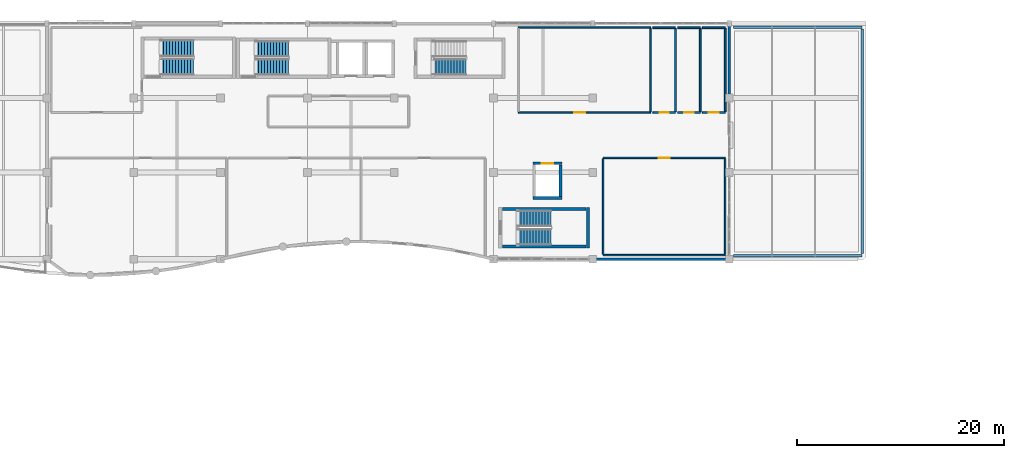
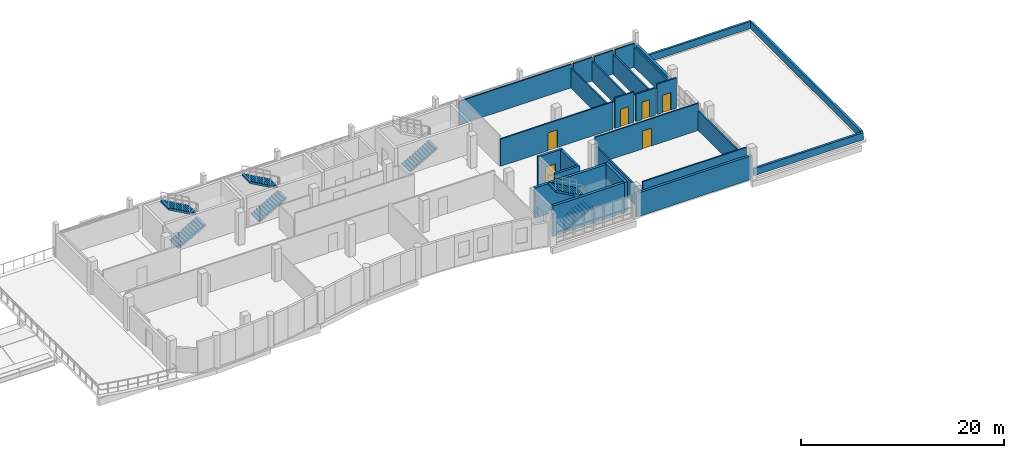
# One storey, part 175 of 188: 27 walls, 7 stair flights, 6 doors, 6 openings, 4 elements without a shape of their own.
"""IFC4 building model written with IfcOpenShell, lengths in metres."""

from ifc_helpers import new_model, si_unit, direction, frame, frame_2d, origin, place, context, subcontext, project, spatial, polyline, rectangle, outline, extrude, material, layer, layer_set, type_object, element, fill, aggregate, save


model = new_model("IFC4")

# Units and contexts
model_context = context("Model", 3, precision=1e-05, world=origin(), true_north=direction((0.0, 1.0)))
body_context = subcontext(model_context, "Body", "Model", "MODEL_VIEW")
ifc_project = project(units=[si_unit("LENGTHUNIT", "METRE"), si_unit("AREAUNIT", "SQUARE_METRE"), si_unit("VOLUMEUNIT", "CUBIC_METRE"), si_unit("PLANEANGLEUNIT", "RADIAN"), si_unit("MASSUNIT", "GRAM", prefix="KILO")], contexts=[model_context])

# Site, building, storey
site_placement = place(None, origin())
site = spatial("IfcSite", under=ifc_project, at=site_placement, CompositionType="ELEMENT")
building_placement = place(site_placement, origin())
building = spatial("IfcBuilding", under=site, at=building_placement, Name="Kisaragi Civic Commons", CompositionType="ELEMENT")
storey_placement = place(building_placement, frame((0.0, 0.0, 9.60009765625)))
storey = spatial("IfcBuildingStorey", under=building, at=storey_placement, Name="L02", CompositionType="ELEMENT", Elevation=9.60009765625)

# Walls
ifc_material_1 = material(Name="Insulated Tokoname terracotta cavity wall", Category="masonry")
ifc_layer_1 = layer(ifc_material_1, 0.278076171875, Name="Insulated Tokoname terracotta cavity wall", Category="masonry")
ifc_layer_set_1 = layer_set([ifc_layer_1], Name="Insulated Tokoname terracotta cavity wall")
wall_type_1 = type_object("IfcWallType", Name="EW-07", PredefinedType="STANDARD", material=ifc_layer_set_1)
wall_1_placement = place(storey_placement, frame((146.39990234375, 118.800048828125, 0.0), z_axis=(0.0, 0.0, 1.0), x_axis=(0.0, -1.0, 0.0)))
element("IfcWall", 1, at=wall_1_placement, inside=storey, type_object=wall_type_1, Name="V4 L02 exterior terracotta wall EW-07 348", PredefinedType="STANDARD", context=body_context, shape_type="SweptSolid", body=[
    extrude(rectangle(XDim=7.199951171875, YDim=0.278076171875, at=frame_2d((3.60009765625, 0.0))), origin(), (0.0, 0.0, 1.0), 2.3798828125),
])
wall_2_placement = place(storey_placement, frame((146.39990234375, 96.0, 0.0), z_axis=(0.0, 0.0, 1.0), x_axis=(-1.0, 0.0, 0.0)))
element("IfcWall", 2, at=wall_2_placement, inside=storey, type_object=wall_type_1, Name="V4 L02 exterior terracotta wall EW-07 349", PredefinedType="STANDARD", context=body_context, shape_type="SweptSolid", body=[
    extrude(rectangle(XDim=13.199951171875, YDim=0.278076171875, at=frame_2d((6.60009765625, 0.0))), origin(), (0.0, 0.0, 1.0), 2.829833984375),
])
ifc_material_2 = material(Name="Acoustic gypsum board on light-gauge steel studs", Category="steel")
ifc_layer_2 = layer(ifc_material_2, 0.14990234375, Name="Acoustic gypsum board on light-gauge steel studs", Category="steel")
ifc_layer_set_2 = layer_set([ifc_layer_2], Name="Acoustic gypsum board on light-gauge steel studs")
wall_type_2 = type_object("IfcWallType", Name="IW-01", PredefinedType="STANDARD", material=ifc_layer_set_2)
wall_3_placement = place(storey_placement, frame((146.0, 105.72509765625, 0.0), z_axis=(0.0, 0.0, 1.0), x_axis=(0.0, -1.0, 0.0)))
element("IfcWall", 3, at=wall_3_placement, inside=storey, type_object=wall_type_2, Name="L02 W2-06 partition IW-01 313", PredefinedType="STANDARD", context=body_context, shape_type="SweptSolid", body=[
    extrude(rectangle(XDim=9.25, YDim=0.14990234375, at=frame_2d((4.625, 0.0))), origin(), (0.0, 0.0, 1.0), 2.3798828125),
])
wall_4_placement = place(storey_placement, frame((145.9951171875, 96.39990234375, 0.0), z_axis=(0.0, 0.0, 1.0), x_axis=(-1.0, 0.0, 0.0)))
element("IfcWall", 4, at=wall_4_placement, inside=storey, type_object=wall_type_2, Name="L02 W2-06 partition IW-01 314", PredefinedType="STANDARD", context=body_context, shape_type="SweptSolid", body=[
    extrude(rectangle(XDim=11.7900390625, YDim=0.14990234375, at=frame_2d((5.89501953125, 0.0))), origin(), (0.0, 0.0, 1.0), 3.64990234375),
])
wall_5_placement = place(storey_placement, frame((134.199951171875, 96.47509765625, 0.0), z_axis=(0.0, 0.0, 1.0), x_axis=(0.0, 1.0, 0.0)))
element("IfcWall", 5, at=wall_5_placement, inside=storey, type_object=wall_type_2, Name="L02 W2-06 partition IW-01 315", PredefinedType="STANDARD", context=body_context, shape_type="SweptSolid", body=[
    extrude(rectangle(XDim=9.25, YDim=0.14990234375, at=frame_2d((4.625, 0.0))), origin(), (0.0, 0.0, 1.0), 2.3798828125),
])

# Wall, opening, door
wall_6_placement = place(storey_placement, frame((134.205078125, 105.800048828125, 0.0), z_axis=(0.0, 0.0, 1.0), x_axis=(1.0, 0.0, 0.0)))
wall_6 = element("IfcWall", 6, at=wall_6_placement, inside=storey, type_object=wall_type_2, Name="L02 W2-06 partition IW-01 316", PredefinedType="STANDARD", context=body_context, shape_type="SweptSolid", body=[
    extrude(rectangle(XDim=11.7900390625, YDim=0.14990234375, at=frame_2d((5.89501953125, 0.0))), origin(), (0.0, 0.0, 1.0), 3.27978515625),
])
opening_1_placement = place(wall_6_placement, frame((5.3701171875, 0.0, 0.0)))
opening_1 = element("IfcOpeningElement", 7, at=opening_1_placement, cuts=wall_6, Name="Opening ID-03", PredefinedType="OPENING", context=body_context, shape_type="SweptSolid", body=[
    extrude(rectangle(XDim=1.050048828125, YDim=2.14990234375, at=frame_2d((0.52490234375, 1.074951171875))), frame((0.0, 0.0849609375, 0.0), z_axis=(0.0, -1.0, 0.0), x_axis=(1.0, 0.0, 0.0)), (0.0, 0.0, 1.0), 0.169921875),
])
ifc_material_3 = material(Name="Solid-core Japanese ash acoustic flush timber leaf in steel frame", Category="steel")
door_type_1 = type_object("IfcDoorType", Name="ID-03", OperationType="NOTDEFINED", PredefinedType="DOOR", material=ifc_material_3)
door_1_placement = place(opening_1_placement, origin())
door_1 = element("IfcDoor", 8, at=door_1_placement, inside=storey, type_object=door_type_1, Name="Language Seminar Room door ID-03", OperationType="SINGLE_SWING_RIGHT", OverallHeight=2.14990234375, OverallWidth=1.050048828125, PredefinedType="DOOR", context=body_context, shape_type="SweptSolid", body=[
    extrude(rectangle(XDim=1.050048828125, YDim=2.14990234375, at=frame_2d((0.52490234375, 1.074951171875))), frame((0.0, 0.02490234375, 0.0), z_axis=(0.0, -1.0, 0.0), x_axis=(1.0, 0.0, 0.0)), (0.0, 0.0, 1.0), 0.050048828125),
])
fill(opening_1, door_1)

# Wall
wall_7_placement = place(storey_placement, frame((138.800048828125, 118.324951171875, 0.0), z_axis=(0.0, 0.0, 1.0), x_axis=(0.0, -1.0, 0.0)))
element("IfcWall", 9, at=wall_7_placement, inside=storey, type_object=wall_type_2, Name="L02 W2-07 partition IW-01 317", PredefinedType="STANDARD", context=body_context, shape_type="SweptSolid", body=[
    extrude(rectangle(XDim=8.050048828125, YDim=0.14990234375, at=frame_2d((4.02490234375, 0.0))), origin(), (0.0, 0.0, 1.0), 2.3798828125),
])

# Wall, opening, door
wall_8_placement = place(storey_placement, frame((138.794921875, 110.199951171875, 0.0), z_axis=(0.0, 0.0, 1.0), x_axis=(-1.0, 0.0, 0.0)))
wall_8 = element("IfcWall", 10, at=wall_8_placement, inside=storey, type_object=wall_type_2, Name="L02 W2-07 partition IW-01 318", PredefinedType="STANDARD", context=body_context, shape_type="SweptSolid", body=[
    extrude(rectangle(XDim=12.7900390625, YDim=0.14990234375, at=frame_2d((6.39501953125, 0.0))), origin(), (0.0, 0.0, 1.0), 3.27978515625),
])
opening_2_placement = place(wall_8_placement, frame((6.339599609375, 0.0, 0.0)))
opening_2 = element("IfcOpeningElement", 11, at=opening_2_placement, cuts=wall_8, Name="Opening ID-03", PredefinedType="OPENING", context=body_context, shape_type="SweptSolid", body=[
    extrude(rectangle(XDim=1.050048828125, YDim=2.14990234375, at=frame_2d((0.52490234375, 1.074951171875))), frame((0.0, 0.0849609375, 0.0), z_axis=(0.0, -1.0, 0.0), x_axis=(1.0, 0.0, 0.0)), (0.0, 0.0, 1.0), 0.169921875),
])
door_2_placement = place(opening_2_placement, origin())
door_2 = element("IfcDoor", 12, at=door_2_placement, inside=storey, type_object=door_type_1, Name="Computer Training Classroom door ID-03", OperationType="SINGLE_SWING_LEFT", OverallHeight=2.14990234375, OverallWidth=1.050048828125, PredefinedType="DOOR", context=body_context, shape_type="SweptSolid", body=[
    extrude(rectangle(XDim=1.050048828125, YDim=2.14990234375, at=frame_2d((0.52490234375, 1.074951171875))), frame((0.0, 0.02490234375, 0.0), z_axis=(0.0, -1.0, 0.0), x_axis=(1.0, 0.0, 0.0)), (0.0, 0.0, 1.0), 0.050048828125),
])
fill(opening_2, door_2)

# Walls
wall_9_placement = place(storey_placement, frame((126.0048828125, 118.39990234375, 0.0), z_axis=(0.0, 0.0, 1.0), x_axis=(1.0, 0.0, 0.0)))
element("IfcWall", 13, at=wall_9_placement, inside=storey, type_object=wall_type_2, Name="L02 W2-07 partition IW-01 320", PredefinedType="STANDARD", context=body_context, shape_type="SweptSolid", body=[
    extrude(rectangle(XDim=12.7900390625, YDim=0.14990234375, at=frame_2d((6.39501953125, 0.0))), origin(), (0.0, 0.0, 1.0), 2.829833984375),
])
ifc_material_4 = material(Name="Cementitious tile-backer board on galvanized steel studs", Category="steel")
ifc_layer_3 = layer(ifc_material_4, 0.16796875, Name="Cementitious tile-backer board on galvanized steel studs", Category="steel")
ifc_layer_set_3 = layer_set([ifc_layer_3], Name="Cementitious tile-backer board on galvanized steel studs")
wall_type_3 = type_object("IfcWallType", Name="IW-03", PredefinedType="STANDARD", material=ifc_layer_set_3)
wall_10_placement = place(storey_placement, frame((141.199951171875, 118.324951171875, 0.0), z_axis=(0.0, 0.0, 1.0), x_axis=(0.0, -1.0, 0.0)))
element("IfcWall", 14, at=wall_10_placement, inside=storey, type_object=wall_type_3, Name="L02 W2-08 partition IW-03 321", PredefinedType="STANDARD", context=body_context, shape_type="SweptSolid", body=[
    extrude(rectangle(XDim=8.050048828125, YDim=0.16796875, at=frame_2d((4.02490234375, 0.0))), origin(), (0.0, 0.0, 1.0), 2.3798828125),
])

# Wall, opening, door
wall_11_placement = place(storey_placement, frame((141.195068359375, 110.199951171875, 0.0), z_axis=(0.0, 0.0, 1.0), x_axis=(-1.0, 0.0, 0.0)))
wall_11 = element("IfcWall", 15, at=wall_11_placement, inside=storey, type_object=wall_type_3, Name="L02 W2-08 partition IW-03 322", PredefinedType="STANDARD", context=body_context, shape_type="SweptSolid", body=[
    extrude(rectangle(XDim=2.190185546875, YDim=0.16796875, at=frame_2d((1.09521484375, 0.0))), origin(), (0.0, 0.0, 1.0), 3.64990234375),
])
opening_3_placement = place(wall_11_placement, frame((0.64501953125, 0.0, 0.0)))
opening_3 = element("IfcOpeningElement", 16, at=opening_3_placement, cuts=wall_11, Name="Opening ID-02", PredefinedType="OPENING", context=body_context, shape_type="SweptSolid", body=[
    extrude(rectangle(XDim=0.89990234375, YDim=2.10009765625, at=frame_2d((0.449951171875, 1.050048828125))), frame((0.0, 0.093994140625, 0.0), z_axis=(0.0, -1.0, 0.0), x_axis=(1.0, 0.0, 0.0)), (0.0, 0.0, 1.0), 0.18798828125),
])
door_type_2 = type_object("IfcDoorType", Name="ID-02", OperationType="NOTDEFINED", PredefinedType="DOOR", material=ifc_material_3)
door_3_placement = place(opening_3_placement, origin())
door_3 = element("IfcDoor", 17, at=door_3_placement, inside=storey, type_object=door_type_2, Name="L02 Male WC door ID-02", OperationType="SINGLE_SWING_RIGHT", OverallHeight=2.10009765625, OverallWidth=0.89990234375, PredefinedType="DOOR", context=body_context, shape_type="SweptSolid", body=[
    extrude(rectangle(XDim=0.89990234375, YDim=2.10009765625, at=frame_2d((0.449951171875, 1.050048828125))), frame((0.0, 0.02490234375, 0.0), z_axis=(0.0, -1.0, 0.0), x_axis=(1.0, 0.0, 0.0)), (0.0, 0.0, 1.0), 0.050048828125),
])
fill(opening_3, door_3)

# Walls
wall_12_placement = place(storey_placement, frame((139.0048828125, 118.39990234375, 0.0), z_axis=(0.0, 0.0, 1.0), x_axis=(1.0, 0.0, 0.0)))
element("IfcWall", 18, at=wall_12_placement, inside=storey, type_object=wall_type_3, Name="L02 W2-08 partition IW-03 323", PredefinedType="STANDARD", context=body_context, shape_type="SweptSolid", body=[
    extrude(rectangle(XDim=2.190185546875, YDim=0.16796875, at=frame_2d((1.09521484375, 0.0))), origin(), (0.0, 0.0, 1.0), 2.829833984375),
])
wall_13_placement = place(storey_placement, frame((143.60009765625, 118.324951171875, 0.0), z_axis=(0.0, 0.0, 1.0), x_axis=(0.0, -1.0, 0.0)))
element("IfcWall", 19, at=wall_13_placement, inside=storey, type_object=wall_type_3, Name="L02 W2-09 partition IW-03 324", PredefinedType="STANDARD", context=body_context, shape_type="SweptSolid", body=[
    extrude(rectangle(XDim=8.050048828125, YDim=0.16796875, at=frame_2d((4.02490234375, 0.0))), origin(), (0.0, 0.0, 1.0), 2.3798828125),
])

# Wall, opening, door
wall_14_placement = place(storey_placement, frame((143.594970703125, 110.199951171875, 0.0), z_axis=(0.0, 0.0, 1.0), x_axis=(-1.0, 0.0, 0.0)))
wall_14 = element("IfcWall", 20, at=wall_14_placement, inside=storey, type_object=wall_type_3, Name="L02 W2-09 partition IW-03 325", PredefinedType="STANDARD", context=body_context, shape_type="SweptSolid", body=[
    extrude(rectangle(XDim=2.18994140625, YDim=0.16796875, at=frame_2d((1.094970703125, 0.0))), origin(), (0.0, 0.0, 1.0), 3.27978515625),
])
opening_4_placement = place(wall_14_placement, frame((0.64501953125, 0.0, 0.0)))
opening_4 = element("IfcOpeningElement", 21, at=opening_4_placement, cuts=wall_14, Name="Opening ID-02", PredefinedType="OPENING", context=body_context, shape_type="SweptSolid", body=[
    extrude(rectangle(XDim=0.89990234375, YDim=2.10009765625, at=frame_2d((0.449951171875, 1.050048828125))), frame((0.0, 0.093994140625, 0.0), z_axis=(0.0, -1.0, 0.0), x_axis=(1.0, 0.0, 0.0)), (0.0, 0.0, 1.0), 0.18798828125),
])
door_4_placement = place(opening_4_placement, origin())
door_4 = element("IfcDoor", 22, at=door_4_placement, inside=storey, type_object=door_type_2, Name="L02 Female WC door ID-02", OperationType="SINGLE_SWING_LEFT", OverallHeight=2.10009765625, OverallWidth=0.89990234375, PredefinedType="DOOR", context=body_context, shape_type="SweptSolid", body=[
    extrude(rectangle(XDim=0.89990234375, YDim=2.10009765625, at=frame_2d((0.449951171875, 1.050048828125))), frame((0.0, 0.02490234375, 0.0), z_axis=(0.0, -1.0, 0.0), x_axis=(1.0, 0.0, 0.0)), (0.0, 0.0, 1.0), 0.050048828125),
])
fill(opening_4, door_4)

# Walls
wall_15_placement = place(storey_placement, frame((141.405029296875, 118.39990234375, 0.0), z_axis=(0.0, 0.0, 1.0), x_axis=(1.0, 0.0, 0.0)))
element("IfcWall", 23, at=wall_15_placement, inside=storey, type_object=wall_type_3, Name="L02 W2-09 partition IW-03 326", PredefinedType="STANDARD", context=body_context, shape_type="SweptSolid", body=[
    extrude(rectangle(XDim=2.18994140625, YDim=0.16796875, at=frame_2d((1.094970703125, 0.0))), origin(), (0.0, 0.0, 1.0), 2.829833984375),
])
wall_16_placement = place(storey_placement, frame((146.0, 118.324951171875, 0.0), z_axis=(0.0, 0.0, 1.0), x_axis=(0.0, -1.0, 0.0)))
element("IfcWall", 24, at=wall_16_placement, inside=storey, type_object=wall_type_3, Name="L02 W2-10 partition IW-03 327", PredefinedType="STANDARD", context=body_context, shape_type="SweptSolid", body=[
    extrude(rectangle(XDim=8.050048828125, YDim=0.16796875, at=frame_2d((4.02490234375, 0.0))), origin(), (0.0, 0.0, 1.0), 2.3798828125),
])

# Wall, opening, door
wall_17_placement = place(storey_placement, frame((145.9951171875, 110.199951171875, 0.0), z_axis=(0.0, 0.0, 1.0), x_axis=(-1.0, 0.0, 0.0)))
wall_17 = element("IfcWall", 25, at=wall_17_placement, inside=storey, type_object=wall_type_3, Name="L02 W2-10 partition IW-03 328", PredefinedType="STANDARD", context=body_context, shape_type="SweptSolid", body=[
    extrude(rectangle(XDim=2.190185546875, YDim=0.16796875, at=frame_2d((1.09521484375, 0.0))), origin(), (0.0, 0.0, 1.0), 3.64990234375),
])
opening_5_placement = place(wall_17_placement, frame((0.6201171875, 0.0, 0.0)))
opening_5 = element("IfcOpeningElement", 26, at=opening_5_placement, cuts=wall_17, Name="Opening ID-01", PredefinedType="OPENING", context=body_context, shape_type="SweptSolid", body=[
    extrude(rectangle(XDim=0.949951171875, YDim=2.10009765625, at=frame_2d((0.47509765625, 1.050048828125))), frame((0.0, 0.093994140625, 0.0), z_axis=(0.0, -1.0, 0.0), x_axis=(1.0, 0.0, 0.0)), (0.0, 0.0, 1.0), 0.18798828125),
])
door_type_3 = type_object("IfcDoorType", Name="ID-01", OperationType="NOTDEFINED", PredefinedType="DOOR", material=ifc_material_3)
door_5_placement = place(opening_5_placement, origin())
door_5 = element("IfcDoor", 27, at=door_5_placement, inside=storey, type_object=door_type_3, Name="L02 Accessible WC door ID-01", OperationType="SINGLE_SWING_RIGHT", OverallHeight=2.10009765625, OverallWidth=0.949951171875, PredefinedType="DOOR", context=body_context, shape_type="SweptSolid", body=[
    extrude(rectangle(XDim=0.949951171875, YDim=2.10009765625, at=frame_2d((0.47509765625, 1.050048828125))), frame((0.0, 0.02490234375, 0.0), z_axis=(0.0, -1.0, 0.0), x_axis=(1.0, 0.0, 0.0)), (0.0, 0.0, 1.0), 0.050048828125),
])
fill(opening_5, door_5)

# Walls
wall_18_placement = place(storey_placement, frame((143.804931640625, 118.39990234375, 0.0), z_axis=(0.0, 0.0, 1.0), x_axis=(1.0, 0.0, 0.0)))
element("IfcWall", 28, at=wall_18_placement, inside=storey, type_object=wall_type_3, Name="L02 W2-10 partition IW-03 329", PredefinedType="STANDARD", context=body_context, shape_type="SweptSolid", body=[
    extrude(rectangle(XDim=2.190185546875, YDim=0.16796875, at=frame_2d((1.09521484375, 0.0))), origin(), (0.0, 0.0, 1.0), 2.829833984375),
])
ifc_material_5 = material(Name="Concrete Fc30", Category="concrete")
ifc_layer_4 = layer(ifc_material_5, 0.239990234375, Name="Concrete Fc30", Category="concrete")
ifc_layer_set_4 = layer_set([ifc_layer_4], Name="Concrete Fc30")
wall_type_4 = type_object("IfcWallType", Name="PW-01", PredefinedType="PARAPET", material=ifc_layer_set_4)
wall_19_placement = place(storey_placement, frame((146.800048828125, 96.35009765625, 0.0), z_axis=(0.0, 0.0, 1.0), x_axis=(1.0, 0.0, 0.0)))
element("IfcWall", 29, at=wall_19_placement, inside=storey, type_object=wall_type_4, Name="L02 setback parapet upstand wall 7", PredefinedType="PARAPET", context=body_context, shape_type="SweptSolid", body=[
    extrude(rectangle(XDim=12.449951171875, YDim=0.239990234375, at=frame_2d((6.22509765625, 0.0))), origin(), (0.0, 0.0, 1.0), 0.849853515625),
])
wall_20_placement = place(storey_placement, frame((159.25, 96.550048828125, 0.0), z_axis=(0.0, 0.0, 1.0), x_axis=(0.0, 1.0, 0.0)))
element("IfcWall", 30, at=wall_20_placement, inside=storey, type_object=wall_type_4, Name="L02 setback parapet upstand wall 8", PredefinedType="PARAPET", context=body_context, shape_type="SweptSolid", body=[
    extrude(rectangle(XDim=21.699951171875, YDim=0.239990234375, at=frame_2d((10.85009765625, 0.0))), origin(), (0.0, 0.0, 1.0), 0.849853515625),
])
wall_21_placement = place(storey_placement, frame((146.800048828125, 118.449951171875, 0.0), z_axis=(0.0, 0.0, 1.0), x_axis=(1.0, 0.0, 0.0)))
element("IfcWall", 31, at=wall_21_placement, inside=storey, type_object=wall_type_4, Name="L02 setback parapet upstand wall 9", PredefinedType="PARAPET", context=body_context, shape_type="SweptSolid", body=[
    extrude(rectangle(XDim=12.449951171875, YDim=0.239990234375, at=frame_2d((6.22509765625, 0.0))), origin(), (0.0, 0.0, 1.0), 0.849853515625),
])
ifc_material_6 = material(Name="Concrete Fc36", Category="concrete")
ifc_layer_5 = layer(ifc_material_6, 0.300048828125, Name="Concrete Fc36", Category="concrete")
ifc_layer_set_5 = layer_set([ifc_layer_5], Name="Concrete Fc36")
wall_type_5 = type_object("IfcWallType", Name="SW-01", PredefinedType="SHEAR", material=ifc_layer_set_5)
wall_22_placement = place(storey_placement, frame((124.449951171875, 97.25, 0.0), z_axis=(0.0, 0.0, 1.0), x_axis=(1.0, 0.0, 0.0)))
element("IfcWall", 32, at=wall_22_placement, inside=storey, type_object=wall_type_5, Name="ST-L3 L02 right RC shear wall", PredefinedType="SHEAR", context=body_context, shape_type="SweptSolid", body=[
    extrude(rectangle(XDim=8.10009765625, YDim=0.300048828125, at=frame_2d((4.050048828125, 0.0))), origin(), (0.0, 0.0, 1.0), 3.64990234375),
])
wall_23_placement = place(storey_placement, frame((132.75, 97.10009765625, 0.0), z_axis=(0.0, 0.0, 1.0), x_axis=(0.0, 1.0, 0.0)))
element("IfcWall", 33, at=wall_23_placement, inside=storey, type_object=wall_type_5, Name="ST-L3 L02 far RC shear wall", PredefinedType="SHEAR", context=body_context, shape_type="SweptSolid", body=[
    extrude(rectangle(XDim=3.89990234375, YDim=0.300048828125, at=frame_2d((1.949951171875, 0.0))), origin(), (0.0, 0.0, 1.0), 3.64990234375),
])
wall_24_placement = place(storey_placement, frame((132.550048828125, 100.85009765625, 0.0), z_axis=(0.0, 0.0, 1.0), x_axis=(-1.0, 0.0, 0.0)))
element("IfcWall", 34, at=wall_24_placement, inside=storey, type_object=wall_type_5, Name="ST-L3 L02 left RC shear wall", PredefinedType="SHEAR", context=body_context, shape_type="SweptSolid", body=[
    extrude(rectangle(XDim=8.10009765625, YDim=0.300048828125, at=frame_2d((4.050048828125, 0.0))), origin(), (0.0, 0.0, 1.0), 3.64990234375),
])
ifc_layer_6 = layer(ifc_material_6, 0.25, Name="Concrete Fc36", Category="concrete")
ifc_layer_set_6 = layer_set([ifc_layer_6], Name="Concrete Fc36")
wall_type_6 = type_object("IfcWallType", Name="SW-02", PredefinedType="SHEAR", material=ifc_layer_set_6)
wall_25_placement = place(storey_placement, frame((130.199951171875, 101.925048828125, 0.0), z_axis=(0.0, 0.0, 1.0), x_axis=(-1.0, 0.0, 0.0)))
element("IfcWall", 35, at=wall_25_placement, inside=storey, type_object=wall_type_6, Name="EL-L3 L02 south lift shaft wall", PredefinedType="SHEAR", context=body_context, shape_type="SweptSolid", body=[
    extrude(rectangle(XDim=2.800048828125, YDim=0.25, at=frame_2d((1.39990234375, 0.0))), origin(), (0.0, 0.0, 1.0), 3.64990234375),
])

# Wall, opening, door
wall_26_placement = place(storey_placement, frame((127.39990234375, 105.27490234375, 0.0), z_axis=(0.0, 0.0, 1.0), x_axis=(1.0, 0.0, 0.0)))
wall_26 = element("IfcWall", 36, at=wall_26_placement, inside=storey, type_object=wall_type_6, Name="EL-L3 L02 north lift shaft wall", PredefinedType="SHEAR", context=body_context, shape_type="SweptSolid", body=[
    extrude(rectangle(XDim=2.800048828125, YDim=0.25, at=frame_2d((1.39990234375, 0.0))), origin(), (0.0, 0.0, 1.0), 3.64990234375),
])
opening_6_placement = place(wall_26_placement, frame((0.85009765625, 0.0, 0.0)))
opening_6 = element("IfcOpeningElement", 37, at=opening_6_placement, cuts=wall_26, Name="Opening LD-01", PredefinedType="OPENING", context=body_context, shape_type="SweptSolid", body=[
    extrude(rectangle(XDim=1.10009765625, YDim=2.14990234375, at=frame_2d((0.550048828125, 1.074951171875))), frame((0.0, 0.135009765625, 0.0), z_axis=(0.0, -1.0, 0.0), x_axis=(1.0, 0.0, 0.0)), (0.0, 0.0, 1.0), 0.27001953125),
])
ifc_material_7 = material(Name="Brushed stainless steel bi-parting landing door", Category="steel")
door_type_4 = type_object("IfcDoorType", Name="LD-01", OperationType="NOTDEFINED", PredefinedType="DOOR", material=ifc_material_7)
door_6_placement = place(opening_6_placement, origin())
door_6 = element("IfcDoor", 38, at=door_6_placement, inside=storey, type_object=door_type_4, Name="EL-L3 L02 sliding lift landing door", OperationType="DOUBLE_DOOR_SLIDING", OverallHeight=2.14990234375, OverallWidth=1.10009765625, PredefinedType="DOOR", context=body_context, shape_type="SweptSolid", body=[
    extrude(rectangle(XDim=1.10009765625, YDim=2.14990234375, at=frame_2d((0.550048828125, 1.074951171875))), frame((0.0, 0.02490234375, 0.0), z_axis=(0.0, -1.0, 0.0), x_axis=(1.0, 0.0, 0.0)), (0.0, 0.0, 1.0), 0.050048828125),
])
fill(opening_6, door_6)

# Wall
wall_27_placement = place(storey_placement, frame((130.074951171875, 105.1298828125, 0.0), z_axis=(0.0, 0.0, 1.0), x_axis=(0.0, -1.0, 0.0)))
element("IfcWall", 39, at=wall_27_placement, inside=storey, type_object=wall_type_6, Name="EL-L3 L02 east lift shaft wall", PredefinedType="SHEAR", context=body_context, shape_type="SweptSolid", body=[
    extrude(rectangle(XDim=3.059814453125, YDim=0.25, at=frame_2d((1.52978515625, 0.0))), origin(), (0.0, 0.0, 1.0), 3.64990234375),
])

# Stair, stair flights
stair_type_1 = type_object("IfcStairType", Name="ST-A", PredefinedType="HALF_TURN_STAIR", material=ifc_material_5)
stair_1_placement = place(storey_placement, origin())
stair_1 = element("IfcStair", 40, at=stair_1_placement, inside=storey, type_object=stair_type_1, Name="L02 Stair ST-L1", PredefinedType="HALF_TURN_STAIR")
stair_flight_type_1 = type_object("IfcStairFlightType", Name="STF-A", PredefinedType="STRAIGHT", material=ifc_material_5)
stair_flight_1_placement = place(storey_placement, frame((100.60009765625, 114.574951171875, 0.0), z_axis=(0.0, 0.0, 1.0), x_axis=(1.0, 0.0, 0.0)))
stair_flight_1 = element("IfcStairFlight", 41, at=stair_flight_1_placement, type_object=stair_flight_type_1, Name="ST-L1 flight 1", NumberOfRisers=12, NumberOfTreads=11, PredefinedType="STRAIGHT", RiserHeight=0.1625, TreadLength=0.29, context=body_context, shape_type="SweptSolid", body=[
    extrude(outline(polyline([(0.0, 0.0), (0.0, 0.16259765625), (0.2900390625, 0.16259765625), (0.2900390625, 0.324951171875), (0.580078125, 0.324951171875), (0.580078125, 0.487548828125), (0.8701171875, 0.487548828125), (0.8701171875, 0.64990234375), (1.159912109375, 0.64990234375), (1.159912109375, 0.8125), (1.449951171875, 0.8125), (1.449951171875, 0.97509765625), (1.739990234375, 0.97509765625), (1.739990234375, 1.137451171875), (2.030029296875, 1.137451171875), (2.030029296875, 1.300048828125), (2.320068359375, 1.300048828125), (2.320068359375, 1.46240234375), (2.610107421875, 1.46240234375), (2.610107421875, 1.625), (2.89990234375, 1.625), (2.89990234375, 1.78759765625), (3.18994140625, 1.78759765625), (3.18994140625, 1.949951171875), (3.18994140625, 1.581298828125), (0.3681640625, 0.0), (0.0, 0.0)])), frame((0.0, 0.77490234375, 0.0), z_axis=(0.0, -1.0, 0.0), x_axis=(1.0, 0.0, 0.0)), (0.0, 0.0, 1.0), 1.550048828125),
])
stair_flight_2_placement = place(storey_placement, frame((103.7900390625, 116.324951171875, 1.949951171875), z_axis=(0.0, 0.0, 1.0), x_axis=(-1.0, 0.0, 0.0)))
stair_flight_2 = element("IfcStairFlight", 42, at=stair_flight_2_placement, type_object=stair_flight_type_1, Name="ST-L1 flight 2", NumberOfRisers=12, NumberOfTreads=11, PredefinedType="STRAIGHT", RiserHeight=0.1625, TreadLength=0.29, context=body_context, shape_type="SweptSolid", body=[
    extrude(outline(polyline([(0.0, 0.0), (0.0, 0.16259765625), (0.2900390625, 0.16259765625), (0.2900390625, 0.324951171875), (0.580078125, 0.324951171875), (0.580078125, 0.487548828125), (0.8701171875, 0.487548828125), (0.8701171875, 0.64990234375), (1.159912109375, 0.64990234375), (1.159912109375, 0.8125), (1.449951171875, 0.8125), (1.449951171875, 0.97509765625), (1.739990234375, 0.97509765625), (1.739990234375, 1.137451171875), (2.030029296875, 1.137451171875), (2.030029296875, 1.300048828125), (2.320068359375, 1.300048828125), (2.320068359375, 1.46240234375), (2.610107421875, 1.46240234375), (2.610107421875, 1.625), (2.89990234375, 1.625), (2.89990234375, 1.78759765625), (3.18994140625, 1.78759765625), (3.18994140625, 1.949951171875), (3.18994140625, 1.581298828125), (0.3681640625, 0.0), (0.0, 0.0)])), frame((0.0, 0.77490234375, 0.0), z_axis=(0.0, -1.0, 0.0), x_axis=(1.0, 0.0, 0.0)), (0.0, 0.0, 1.0), 1.550048828125),
])
aggregate(stair_1, [stair_flight_1, stair_flight_2])

# Stair, stair flight
stair_2_placement = place(storey_placement, origin())
stair_2 = element("IfcStair", 43, at=stair_2_placement, inside=storey, type_object=stair_type_1, Name="L02 Stair ST-L2", PredefinedType="HALF_TURN_STAIR")
stair_flight_3_placement = place(storey_placement, frame((117.75, 114.574951171875, 0.0), z_axis=(0.0, 0.0, 1.0), x_axis=(1.0, 0.0, 0.0)))
stair_flight_3 = element("IfcStairFlight", 44, at=stair_flight_3_placement, type_object=stair_flight_type_1, Name="ST-L2 flight 1", NumberOfRisers=12, NumberOfTreads=11, PredefinedType="STRAIGHT", RiserHeight=0.1625, TreadLength=0.29, context=body_context, shape_type="SweptSolid", body=[
    extrude(outline(polyline([(0.0, 0.0), (0.0, 0.16259765625), (0.2900390625, 0.16259765625), (0.2900390625, 0.324951171875), (0.580078125, 0.324951171875), (0.580078125, 0.487548828125), (0.8701171875, 0.487548828125), (0.8701171875, 0.64990234375), (1.159912109375, 0.64990234375), (1.159912109375, 0.8125), (1.449951171875, 0.8125), (1.449951171875, 0.97509765625), (1.739990234375, 0.97509765625), (1.739990234375, 1.137451171875), (2.030029296875, 1.137451171875), (2.030029296875, 1.300048828125), (2.320068359375, 1.300048828125), (2.320068359375, 1.46240234375), (2.610107421875, 1.46240234375), (2.610107421875, 1.625), (2.89990234375, 1.625), (2.89990234375, 1.78759765625), (3.18994140625, 1.78759765625), (3.18994140625, 1.949951171875), (3.18994140625, 1.581298828125), (0.3681640625, 0.0), (0.0, 0.0)])), frame((0.0, 0.77490234375, 0.0), z_axis=(0.0, -1.0, 0.0), x_axis=(1.0, 0.0, 0.0)), (0.0, 0.0, 1.0), 1.550048828125),
])
aggregate(stair_2, [stair_flight_3])

# Stair, stair flights
stair_3_placement = place(storey_placement, origin())
stair_3 = element("IfcStair", 45, at=stair_3_placement, inside=storey, type_object=stair_type_1, Name="L02 Stair ST-L3", PredefinedType="HALF_TURN_STAIR")
stair_flight_4_placement = place(storey_placement, frame((125.949951171875, 98.175048828125, 0.0), z_axis=(0.0, 0.0, 1.0), x_axis=(1.0, 0.0, 0.0)))
stair_flight_4 = element("IfcStairFlight", 46, at=stair_flight_4_placement, type_object=stair_flight_type_1, Name="ST-L3 flight 1", NumberOfRisers=12, NumberOfTreads=11, PredefinedType="STRAIGHT", RiserHeight=0.1625, TreadLength=0.29, context=body_context, shape_type="SweptSolid", body=[
    extrude(outline(polyline([(0.0, 0.0), (0.0, 0.16259765625), (0.2900390625, 0.16259765625), (0.2900390625, 0.324951171875), (0.580078125, 0.324951171875), (0.580078125, 0.487548828125), (0.8701171875, 0.487548828125), (0.8701171875, 0.64990234375), (1.159912109375, 0.64990234375), (1.159912109375, 0.8125), (1.449951171875, 0.8125), (1.449951171875, 0.97509765625), (1.739990234375, 0.97509765625), (1.739990234375, 1.137451171875), (2.030029296875, 1.137451171875), (2.030029296875, 1.300048828125), (2.320068359375, 1.300048828125), (2.320068359375, 1.46240234375), (2.610107421875, 1.46240234375), (2.610107421875, 1.625), (2.89990234375, 1.625), (2.89990234375, 1.78759765625), (3.18994140625, 1.78759765625), (3.18994140625, 1.949951171875), (3.18994140625, 1.581298828125), (0.3681640625, 0.0), (0.0, 0.0)])), frame((0.0, 0.77490234375, 0.0), z_axis=(0.0, -1.0, 0.0), x_axis=(1.0, 0.0, 0.0)), (0.0, 0.0, 1.0), 1.550048828125),
])
stair_flight_5_placement = place(storey_placement, frame((129.139892578125, 99.925048828125, 1.949951171875), z_axis=(0.0, 0.0, 1.0), x_axis=(-1.0, 0.0, 0.0)))
stair_flight_5 = element("IfcStairFlight", 47, at=stair_flight_5_placement, type_object=stair_flight_type_1, Name="ST-L3 flight 2", NumberOfRisers=12, NumberOfTreads=11, PredefinedType="STRAIGHT", RiserHeight=0.1625, TreadLength=0.29, context=body_context, shape_type="SweptSolid", body=[
    extrude(outline(polyline([(0.0, 0.0), (0.0, 0.16259765625), (0.2900390625, 0.16259765625), (0.2900390625, 0.324951171875), (0.580078125, 0.324951171875), (0.580078125, 0.487548828125), (0.8701171875, 0.487548828125), (0.8701171875, 0.64990234375), (1.159912109375, 0.64990234375), (1.159912109375, 0.8125), (1.449951171875, 0.8125), (1.449951171875, 0.97509765625), (1.739990234375, 0.97509765625), (1.739990234375, 1.137451171875), (2.030029296875, 1.137451171875), (2.030029296875, 1.300048828125), (2.320068359375, 1.300048828125), (2.320068359375, 1.46240234375), (2.610107421875, 1.46240234375), (2.610107421875, 1.625), (2.89990234375, 1.625), (2.89990234375, 1.78759765625), (3.18994140625, 1.78759765625), (3.18994140625, 1.949951171875), (3.18994140625, 1.581298828125), (0.3681640625, 0.0), (0.0, 0.0)])), frame((0.0, 0.77490234375, 0.0), z_axis=(0.0, -1.0, 0.0), x_axis=(1.0, 0.0, 0.0)), (0.0, 0.0, 1.0), 1.550048828125),
])
aggregate(stair_3, [stair_flight_4, stair_flight_5])

stair_type_2 = type_object("IfcStairType", Name="ST-B", PredefinedType="HALF_TURN_STAIR", material=ifc_material_5)
stair_4_placement = place(storey_placement, origin())
stair_4 = element("IfcStair", 48, at=stair_4_placement, inside=storey, type_object=stair_type_2, Name="L02 Stair ST-L4", PredefinedType="HALF_TURN_STAIR")
stair_flight_type_2 = type_object("IfcStairFlightType", Name="STF-B", PredefinedType="STRAIGHT", material=ifc_material_5)
stair_flight_6_placement = place(storey_placement, frame((91.39990234375, 114.60009765625, 0.0), z_axis=(0.0, 0.0, 1.0), x_axis=(1.0, 0.0, 0.0)))
stair_flight_6 = element("IfcStairFlight", 49, at=stair_flight_6_placement, type_object=stair_flight_type_2, Name="ST-L4 flight 1", NumberOfRisers=12, NumberOfTreads=11, PredefinedType="STRAIGHT", RiserHeight=0.1625, TreadLength=0.29, context=body_context, shape_type="SweptSolid", body=[
    extrude(outline(polyline([(0.0, 0.0), (0.0, 0.16259765625), (0.2900390625, 0.16259765625), (0.2900390625, 0.324951171875), (0.580078125, 0.324951171875), (0.580078125, 0.487548828125), (0.8701171875, 0.487548828125), (0.8701171875, 0.64990234375), (1.159912109375, 0.64990234375), (1.159912109375, 0.8125), (1.449951171875, 0.8125), (1.449951171875, 0.97509765625), (1.739990234375, 0.97509765625), (1.739990234375, 1.137451171875), (2.030029296875, 1.137451171875), (2.030029296875, 1.300048828125), (2.320068359375, 1.300048828125), (2.320068359375, 1.46240234375), (2.610107421875, 1.46240234375), (2.610107421875, 1.625), (2.89990234375, 1.625), (2.89990234375, 1.78759765625), (3.18994140625, 1.78759765625), (3.18994140625, 1.949951171875), (3.18994140625, 1.581298828125), (0.3681640625, 0.0), (0.0, 0.0)])), frame((0.0, 0.800048828125, 0.0), z_axis=(0.0, -1.0, 0.0), x_axis=(1.0, 0.0, 0.0)), (0.0, 0.0, 1.0), 1.60009765625),
])
stair_flight_7_placement = place(storey_placement, frame((94.590087890625, 116.39990234375, 1.949951171875), z_axis=(0.0, 0.0, 1.0), x_axis=(-1.0, 0.0, 0.0)))
stair_flight_7 = element("IfcStairFlight", 50, at=stair_flight_7_placement, type_object=stair_flight_type_2, Name="ST-L4 flight 2", NumberOfRisers=12, NumberOfTreads=11, PredefinedType="STRAIGHT", RiserHeight=0.1625, TreadLength=0.29, context=body_context, shape_type="SweptSolid", body=[
    extrude(outline(polyline([(0.0, 0.0), (0.0, 0.16259765625), (0.2900390625, 0.16259765625), (0.2900390625, 0.324951171875), (0.580078125, 0.324951171875), (0.580078125, 0.487548828125), (0.8701171875, 0.487548828125), (0.8701171875, 0.64990234375), (1.159912109375, 0.64990234375), (1.159912109375, 0.8125), (1.449951171875, 0.8125), (1.449951171875, 0.97509765625), (1.739990234375, 0.97509765625), (1.739990234375, 1.137451171875), (2.030029296875, 1.137451171875), (2.030029296875, 1.300048828125), (2.320068359375, 1.300048828125), (2.320068359375, 1.46240234375), (2.610107421875, 1.46240234375), (2.610107421875, 1.625), (2.89990234375, 1.625), (2.89990234375, 1.78759765625), (3.18994140625, 1.78759765625), (3.18994140625, 1.949951171875), (3.18994140625, 1.581298828125), (0.3681640625, 0.0), (0.0, 0.0)])), frame((0.0, 0.800048828125, 0.0), z_axis=(0.0, -1.0, 0.0), x_axis=(1.0, 0.0, 0.0)), (0.0, 0.0, 1.0), 1.60009765625),
])
aggregate(stair_4, [stair_flight_6, stair_flight_7])

save(model, "model.ifc")
